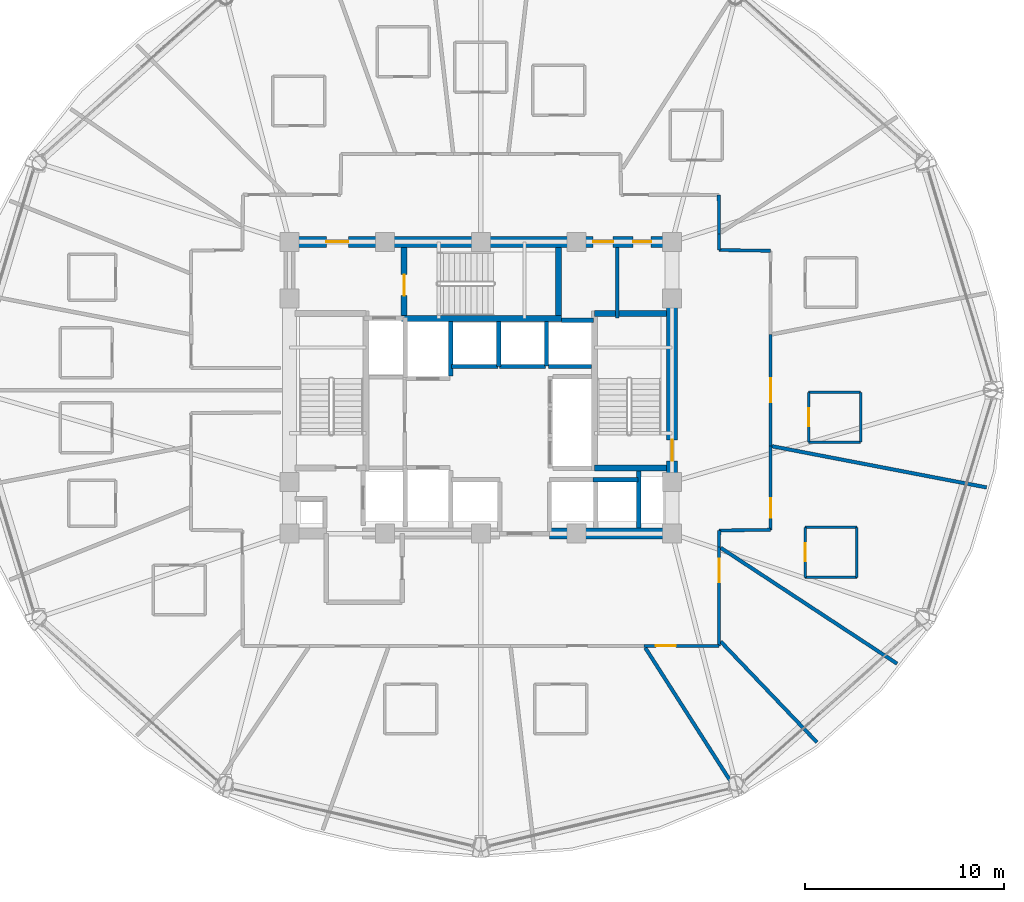
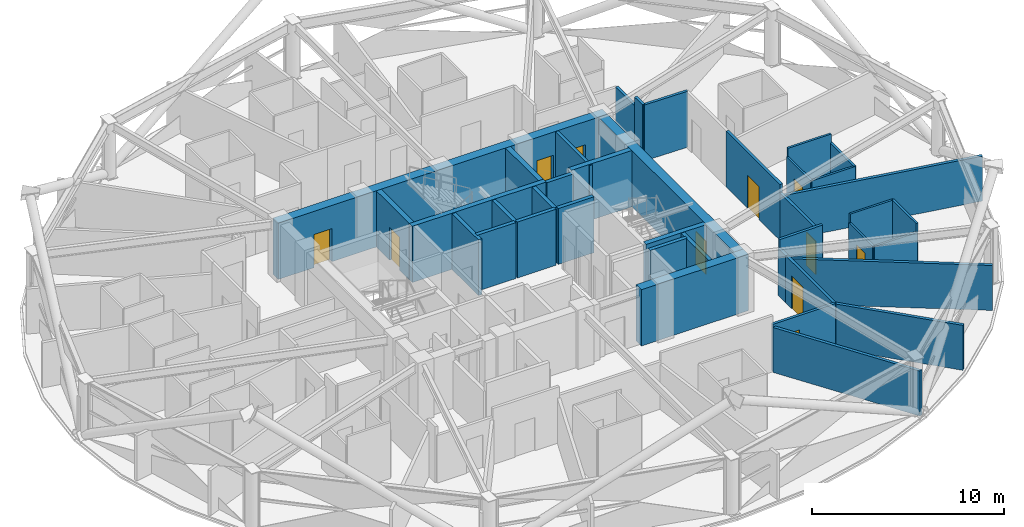
# One storey, part 26 of 32: 39 walls, 11 doors, 11 openings.
"""IFC4 building model written with IfcOpenShell, lengths in metres."""

from ifc_helpers import new_model, si_unit, direction, frame, frame_2d, origin, place, context, subcontext, project, spatial, rectangle, extrude, material, layer, layer_set, type_object, element, fill, save


model = new_model("IFC4")

# Units and contexts
model_context = context("Model", 3, precision=1e-05, world=origin(), true_north=direction((0.0, 1.0)))
body_context = subcontext(model_context, "Body", "Model", "MODEL_VIEW")
ifc_project = project(units=[si_unit("LENGTHUNIT", "METRE"), si_unit("AREAUNIT", "SQUARE_METRE"), si_unit("VOLUMEUNIT", "CUBIC_METRE"), si_unit("PLANEANGLEUNIT", "RADIAN"), si_unit("MASSUNIT", "GRAM", prefix="KILO")], contexts=[model_context])

# Site, building, storey
site_placement = place(None, origin())
site = spatial("IfcSite", under=ifc_project, at=site_placement, CompositionType="ELEMENT")
building_placement = place(site_placement, origin())
building = spatial("IfcBuilding", under=site, at=building_placement, Name="Vantalir Tower", CompositionType="ELEMENT")
storey_placement = place(building_placement, frame((0.0, 0.0, 104.699951171875)))
storey = spatial("IfcBuildingStorey", under=building, at=storey_placement, Name="L25", CompositionType="ELEMENT", Elevation=104.699951171875)

# Walls
ifc_material_1 = material(Name="Moisture-resistant en-suite partition", Category="gypsum")
ifc_layer_1 = layer(ifc_material_1, 0.125)
ifc_layer_set_1 = layer_set([ifc_layer_1], Name="Moisture-resistant en-suite partition")
wall_type_1 = type_object("IfcWallType", Name="WL-BATH-125", PredefinedType="PARTITIONING", material=ifc_layer_set_1)
wall_1_placement = place(storey_placement, frame((47.781982421875, 15.613037109375, 0.0), z_axis=(0.0, 0.0, 1.0), x_axis=(1.0, 0.0, 0.0)))
element("IfcWall", 1, at=wall_1_placement, inside=storey, type_object=wall_type_1, Name="L25 En-suite 20 South Wall", PredefinedType="PARTITIONING", context=body_context, shape_type="SweptSolid", body=[
    extrude(rectangle(XDim=2.60009765625, YDim=0.125, at=frame_2d((1.300048828125, 0.0))), origin(), (0.0, 0.0, 1.0), 3.006103515625),
])
wall_2_placement = place(storey_placement, frame((47.781982421875, 18.113037109375, 0.0), z_axis=(0.0, 0.0, 1.0), x_axis=(1.0, 0.0, 0.0)))
element("IfcWall", 2, at=wall_2_placement, inside=storey, type_object=wall_type_1, Name="L25 En-suite 20 North Wall", PredefinedType="PARTITIONING", context=body_context, shape_type="SweptSolid", body=[
    extrude(rectangle(XDim=2.60009765625, YDim=0.125, at=frame_2d((1.300048828125, 0.0))), origin(), (0.0, 0.0, 1.0), 3.550048828125),
])

# Wall, opening, door
wall_3_placement = place(storey_placement, frame((47.781982421875, 15.613037109375, 0.0), z_axis=(0.0, 0.0, 1.0), x_axis=(0.0, 1.0, 0.0)))
wall_3 = element("IfcWall", 3, at=wall_3_placement, inside=storey, type_object=wall_type_1, Name="L25 En-suite 20 West Wall", PredefinedType="PARTITIONING", context=body_context, shape_type="SweptSolid", body=[
    extrude(rectangle(XDim=2.5, YDim=0.125, at=frame_2d((1.25, 0.0))), origin(), (0.0, 0.0, 1.0), 3.006103515625),
])
opening_1_placement = place(wall_3_placement, frame((0.800048828125, 0.0, 0.0)))
opening_1 = element("IfcOpeningElement", 4, at=opening_1_placement, cuts=wall_3, Name="Opening D-WC", PredefinedType="OPENING", context=body_context, shape_type="SweptSolid", body=[
    extrude(rectangle(XDim=0.89990234375, YDim=2.10009765625, at=frame_2d((0.449951171875, 1.050048828125))), frame((0.0, 0.072509765625, 0.0), z_axis=(0.0, -1.0, 0.0), x_axis=(1.0, 0.0, 0.0)), (0.0, 0.0, 1.0), 0.14501953125),
])
ifc_material_2 = material(Name="Moisture-resistant hardwood door", Category="wood")
door_type_1 = type_object("IfcDoorType", Name="DR-ENSUITE-900", OperationType="NOTDEFINED", PredefinedType="DOOR", material=ifc_material_2)
door_1_placement = place(opening_1_placement, frame((0.89990234375, 0.0, 0.0), z_axis=(0.0, 0.0, 1.0), x_axis=(-1.0, 0.0, 0.0)))
door_1 = element("IfcDoor", 5, at=door_1_placement, inside=storey, type_object=door_type_1, Name="L25 En-suite 20 Door", OperationType="SINGLE_SWING_RIGHT", OverallHeight=2.10009765625, OverallWidth=0.89990234375, PredefinedType="DOOR", context=body_context, shape_type="SweptSolid", body=[
    extrude(rectangle(XDim=0.89990234375, YDim=2.10009765625, at=frame_2d((0.449951171875, 1.050048828125))), frame((0.0, 0.02490234375, 0.0), z_axis=(0.0, -1.0, 0.0), x_axis=(1.0, 0.0, 0.0)), (0.0, 0.0, 1.0), 0.050048828125),
])
fill(opening_1, door_1)

# Walls
wall_4_placement = place(storey_placement, frame((50.382080078125, 15.613037109375, 0.0), z_axis=(0.0, 0.0, 1.0), x_axis=(0.0, 1.0, 0.0)))
element("IfcWall", 6, at=wall_4_placement, inside=storey, type_object=wall_type_1, Name="L25 En-suite 20 East Wall", PredefinedType="PARTITIONING", context=body_context, shape_type="SweptSolid", body=[
    extrude(rectangle(XDim=2.5, YDim=0.125, at=frame_2d((1.25, 0.0))), origin(), (0.0, 0.0, 1.0), 3.550048828125),
])
wall_5_placement = place(storey_placement, frame((47.9599609375, 22.39599609375, 0.0), z_axis=(0.0, 0.0, 1.0), x_axis=(1.0, 0.0, 0.0)))
element("IfcWall", 7, at=wall_5_placement, inside=storey, type_object=wall_type_1, Name="L25 En-suite 21 South Wall", PredefinedType="PARTITIONING", context=body_context, shape_type="SweptSolid", body=[
    extrude(rectangle(XDim=2.60009765625, YDim=0.125, at=frame_2d((1.300048828125, 0.0))), origin(), (0.0, 0.0, 1.0), 3.006103515625),
])
wall_6_placement = place(storey_placement, frame((47.9599609375, 24.89599609375, 0.0), z_axis=(0.0, 0.0, 1.0), x_axis=(1.0, 0.0, 0.0)))
element("IfcWall", 8, at=wall_6_placement, inside=storey, type_object=wall_type_1, Name="L25 En-suite 21 North Wall", PredefinedType="PARTITIONING", context=body_context, shape_type="SweptSolid", body=[
    extrude(rectangle(XDim=2.60009765625, YDim=0.125, at=frame_2d((1.300048828125, 0.0))), origin(), (0.0, 0.0, 1.0), 3.550048828125),
])

# Wall, opening, door
wall_7_placement = place(storey_placement, frame((47.9599609375, 22.39599609375, 0.0), z_axis=(0.0, 0.0, 1.0), x_axis=(0.0, 1.0, 0.0)))
wall_7 = element("IfcWall", 9, at=wall_7_placement, inside=storey, type_object=wall_type_1, Name="L25 En-suite 21 West Wall", PredefinedType="PARTITIONING", context=body_context, shape_type="SweptSolid", body=[
    extrude(rectangle(XDim=2.5, YDim=0.125, at=frame_2d((1.25, 0.0))), origin(), (0.0, 0.0, 1.0), 3.006103515625),
])
opening_2_placement = place(wall_7_placement, frame((0.800048828125, 0.0, 0.0)))
opening_2 = element("IfcOpeningElement", 10, at=opening_2_placement, cuts=wall_7, Name="Opening D-WC", PredefinedType="OPENING", context=body_context, shape_type="SweptSolid", body=[
    extrude(rectangle(XDim=0.89990234375, YDim=2.10009765625, at=frame_2d((0.449951171875, 1.050048828125))), frame((0.0, 0.072509765625, 0.0), z_axis=(0.0, -1.0, 0.0), x_axis=(1.0, 0.0, 0.0)), (0.0, 0.0, 1.0), 0.14501953125),
])
door_2_placement = place(opening_2_placement, frame((0.89990234375, 0.0, 0.0), z_axis=(0.0, 0.0, 1.0), x_axis=(-1.0, 0.0, 0.0)))
door_2 = element("IfcDoor", 11, at=door_2_placement, inside=storey, type_object=door_type_1, Name="L25 En-suite 21 Door", OperationType="SINGLE_SWING_LEFT", OverallHeight=2.10009765625, OverallWidth=0.89990234375, PredefinedType="DOOR", context=body_context, shape_type="SweptSolid", body=[
    extrude(rectangle(XDim=0.89990234375, YDim=2.10009765625, at=frame_2d((0.449951171875, 1.050048828125))), frame((0.0, 0.02490234375, 0.0), z_axis=(0.0, -1.0, 0.0), x_axis=(1.0, 0.0, 0.0)), (0.0, 0.0, 1.0), 0.050048828125),
])
fill(opening_2, door_2)

# Walls
wall_8_placement = place(storey_placement, frame((50.56005859375, 22.39599609375, 0.0), z_axis=(0.0, 0.0, 1.0), x_axis=(0.0, 1.0, 0.0)))
element("IfcWall", 12, at=wall_8_placement, inside=storey, type_object=wall_type_1, Name="L25 En-suite 21 East Wall", PredefinedType="PARTITIONING", context=body_context, shape_type="SweptSolid", body=[
    extrude(rectangle(XDim=2.5, YDim=0.125, at=frame_2d((1.25, 0.0))), origin(), (0.0, 0.0, 1.0), 3.006103515625),
])
ifc_material_3 = material(Name="Concrete C60/75", Category="concrete")
ifc_layer_2 = layer(ifc_material_3, 0.550048828125)
ifc_layer_set_2 = layer_set([ifc_layer_2], Name="Concrete C60/75")
wall_type_2 = type_object("IfcWallType", Name="WL-CORE-550", PredefinedType="SHEAR", material=ifc_layer_set_2)
wall_9_placement = place(storey_placement, frame((34.949951171875, 17.800048828125, 0.0), z_axis=(0.0, 0.0, 1.0), x_axis=(1.0, 0.0, 0.0)))
element("IfcWall", 13, at=wall_9_placement, inside=storey, type_object=wall_type_2, Name="L25 Core Shear Wall South-East", PredefinedType="SHEAR", context=body_context, shape_type="SweptSolid", body=[
    extrude(rectangle(XDim=6.425048828125, YDim=0.550048828125, at=frame_2d((3.21240234375, 0.0))), origin(), (0.0, 0.0, 1.0), 3.570068359375),
])

# Wall, openings, doors
wall_10_placement = place(storey_placement, frame((21.625, 32.449951171875, 0.0), z_axis=(0.0, 0.0, 1.0), x_axis=(1.0, 0.0, 0.0)))
wall_10 = element("IfcWall", 14, at=wall_10_placement, inside=storey, type_object=wall_type_2, Name="L25 Core Shear Wall North", PredefinedType="SHEAR", context=body_context, shape_type="SweptSolid", body=[
    extrude(rectangle(XDim=19.75, YDim=0.550048828125, at=frame_2d((9.875, 0.0))), origin(), (0.0, 0.0, 1.0), 3.570068359375),
])
opening_3_placement = place(wall_10_placement, frame((2.125, 0.0, 0.0)))
opening_3 = element("IfcOpeningElement", 15, at=opening_3_placement, cuts=wall_10, Name="Opening D-FFL", PredefinedType="OPENING", context=body_context, shape_type="SweptSolid", body=[
    extrude(rectangle(XDim=1.10009765625, YDim=2.10009765625, at=frame_2d((0.550048828125, 1.050048828125))), frame((0.0, 0.284912109375, 0.0), z_axis=(0.0, -1.0, 0.0), x_axis=(1.0, 0.0, 0.0)), (0.0, 0.0, 1.0), 0.570068359375),
])
opening_4_placement = place(wall_10_placement, frame((15.514892578125, 0.0, 0.0)))
opening_4 = element("IfcOpeningElement", 16, at=opening_4_placement, cuts=wall_10, Name="Opening D-GUEST", PredefinedType="OPENING", context=body_context, shape_type="SweptSolid", body=[
    extrude(rectangle(XDim=1.0, YDim=2.10009765625, at=frame_2d((0.5, 1.050048828125))), frame((0.0, 0.284912109375, 0.0), z_axis=(0.0, -1.0, 0.0), x_axis=(1.0, 0.0, 0.0)), (0.0, 0.0, 1.0), 0.570068359375),
])
opening_5_placement = place(wall_10_placement, frame((17.52490234375, 0.0, 0.0)))
opening_5 = element("IfcOpeningElement", 17, at=opening_5_placement, cuts=wall_10, Name="Opening D-CR", PredefinedType="OPENING", context=body_context, shape_type="SweptSolid", body=[
    extrude(rectangle(XDim=0.89990234375, YDim=2.10009765625, at=frame_2d((0.449951171875, 1.050048828125))), frame((0.0, 0.284912109375, 0.0), z_axis=(0.0, -1.0, 0.0), x_axis=(1.0, 0.0, 0.0)), (0.0, 0.0, 1.0), 0.570068359375),
])
ifc_material_4 = material(Name="Fire-rated steel core service door", Category="steel")
door_type_2 = type_object("IfcDoorType", Name="DR-CORE-SERV-900", OperationType="NOTDEFINED", PredefinedType="DOOR", material=ifc_material_4)
door_3_placement = place(opening_5_placement, frame((0.89990234375, 0.0, 0.0), z_axis=(0.0, 0.0, 1.0), x_axis=(-1.0, 0.0, 0.0)))
door_3 = element("IfcDoor", 18, at=door_3_placement, inside=storey, type_object=door_type_2, Name="L25 Housekeeping and Linen Room Door", OperationType="SINGLE_SWING_RIGHT", OverallHeight=2.10009765625, OverallWidth=0.89990234375, PredefinedType="DOOR", context=body_context, shape_type="SweptSolid", body=[
    extrude(rectangle(XDim=0.89990234375, YDim=2.10009765625, at=frame_2d((0.449951171875, 1.050048828125))), frame((0.0, 0.02490234375, 0.0), z_axis=(0.0, -1.0, 0.0), x_axis=(1.0, 0.0, 0.0)), (0.0, 0.0, 1.0), 0.050048828125),
])
fill(opening_5, door_3)
ifc_material_5 = material(Name="Fire-rated acoustic steel door", Category="steel")
door_type_3 = type_object("IfcDoorType", Name="DR-FIRE-LOBBY-1100", OperationType="NOTDEFINED", PredefinedType="DOOR", material=ifc_material_5)
door_4_placement = place(opening_3_placement, frame((1.10009765625, 0.0, 0.0), z_axis=(0.0, 0.0, 1.0), x_axis=(-1.0, 0.0, 0.0)))
door_4 = element("IfcDoor", 19, at=door_4_placement, inside=storey, type_object=door_type_3, Name="L25 Firefighting Lobby East Access Door", OperationType="SINGLE_SWING_LEFT", OverallHeight=2.10009765625, OverallWidth=1.10009765625, PredefinedType="DOOR", context=body_context, shape_type="SweptSolid", body=[
    extrude(rectangle(XDim=1.10009765625, YDim=2.10009765625, at=frame_2d((0.550048828125, 1.050048828125))), frame((0.0, 0.02490234375, 0.0), z_axis=(0.0, -1.0, 0.0), x_axis=(1.0, 0.0, 0.0)), (0.0, 0.0, 1.0), 0.050048828125),
])
fill(opening_3, door_4)
ifc_material_6 = material(Name="Solid-core teak veneer acoustic fire door", Category="wood")
door_type_4 = type_object("IfcDoorType", Name="DR-GUEST-ENTRY-1000", OperationType="NOTDEFINED", PredefinedType="DOOR", material=ifc_material_6)
door_5_placement = place(opening_4_placement, frame((1.0, 0.0, 0.0), z_axis=(0.0, 0.0, 1.0), x_axis=(-1.0, 0.0, 0.0)))
door_5 = element("IfcDoor", 20, at=door_5_placement, inside=storey, type_object=door_type_4, Name="L25 High-Rise Lift Lobby Door", OperationType="SINGLE_SWING_LEFT", OverallHeight=2.10009765625, OverallWidth=1.0, PredefinedType="DOOR", context=body_context, shape_type="SweptSolid", body=[
    extrude(rectangle(XDim=1.0, YDim=2.10009765625, at=frame_2d((0.5, 1.050048828125))), frame((0.0, 0.02490234375, 0.0), z_axis=(0.0, -1.0, 0.0), x_axis=(1.0, 0.0, 0.0)), (0.0, 0.0, 1.0), 0.050048828125),
])
fill(opening_4, door_5)

# Wall, opening, door
wall_11_placement = place(storey_placement, frame((41.10009765625, 18.074951171875, 0.0), z_axis=(0.0, 0.0, 1.0), x_axis=(0.0, 1.0, 0.0)))
wall_11 = element("IfcWall", 21, at=wall_11_placement, inside=storey, type_object=wall_type_2, Name="L25 Core Shear Wall East", PredefinedType="SHEAR", context=body_context, shape_type="SweptSolid", body=[
    extrude(rectangle(XDim=14.10009765625, YDim=0.550048828125, at=frame_2d((7.050048828125, 0.0))), origin(), (0.0, 0.0, 1.0), 3.570068359375),
])
opening_6_placement = place(wall_11_placement, frame((3.385009765625, 0.0, 0.0)))
opening_6 = element("IfcOpeningElement", 22, at=opening_6_placement, cuts=wall_11, Name="Opening D-ST", PredefinedType="OPENING", context=body_context, shape_type="SweptSolid", body=[
    extrude(rectangle(XDim=1.050048828125, YDim=2.10009765625, at=frame_2d((0.52490234375, 1.050048828125))), frame((0.0, 0.284912109375, 0.0), z_axis=(0.0, -1.0, 0.0), x_axis=(1.0, 0.0, 0.0)), (0.0, 0.0, 1.0), 0.570068359375),
])
ifc_material_7 = material(Name="Fire-rated steel door leaf", Category="steel")
door_type_5 = type_object("IfcDoorType", Name="DR-FIRE-STAIR-1050", OperationType="NOTDEFINED", PredefinedType="DOOR", material=ifc_material_7)
door_6_placement = place(opening_6_placement, origin())
door_6 = element("IfcDoor", 23, at=door_6_placement, inside=storey, type_object=door_type_5, Name="L25 Exit Stair ST2 Fire Door", OperationType="SINGLE_SWING_LEFT", OverallHeight=2.10009765625, OverallWidth=1.050048828125, PredefinedType="DOOR", context=body_context, shape_type="SweptSolid", body=[
    extrude(rectangle(XDim=1.050048828125, YDim=2.10009765625, at=frame_2d((0.52490234375, 1.050048828125))), frame((0.0, 0.02490234375, 0.0), z_axis=(0.0, -1.0, 0.0), x_axis=(1.0, 0.0, 0.0)), (0.0, 0.0, 1.0), 0.050048828125),
])
fill(opening_6, door_6)

# Walls
ifc_material_8 = material(Name="Fire-rated hotel corridor acoustic partition", Category="gypsum")
ifc_layer_3 = layer(ifc_material_8, 0.159912109375)
ifc_layer_set_3 = layer_set([ifc_layer_3], Name="Fire-rated hotel corridor acoustic partition")
wall_type_3 = type_object("IfcWallType", Name="WL-CORR-160", PredefinedType="PARTITIONING", material=ifc_layer_set_3)
wall_12_placement = place(storey_placement, frame((43.447021484375, 34.80810546875, 0.0), z_axis=(0.0, 0.0, 1.0), x_axis=(0.00662154399, -0.999978077337, 0.0)))
element("IfcWall", 24, at=wall_12_placement, inside=storey, type_object=wall_type_3, Name="L25 Corridor Partition 18", PredefinedType="PARTITIONING", context=body_context, shape_type="SweptSolid", body=[
    extrude(rectangle(XDim=1.9541015625, YDim=0.159912109375, at=frame_2d((0.97705078125, 0.0))), origin(), (0.0, 0.0, 1.0), 3.006103515625),
])
wall_13_placement = place(storey_placement, frame((43.4599609375, 32.85400390625, 0.0), z_axis=(0.0, 0.0, 1.0), x_axis=(0.006298615307, -0.999980163526, 0.0)))
element("IfcWall", 25, at=wall_13_placement, inside=storey, type_object=wall_type_3, Name="L25 Corridor Partition 19", PredefinedType="PARTITIONING", context=body_context, shape_type="SweptSolid", body=[
    extrude(rectangle(XDim=0.81396484375, YDim=0.159912109375, at=frame_2d((0.406982421875, 0.0))), origin(), (0.0, 0.0, 1.0), 3.550048828125),
])
wall_14_placement = place(storey_placement, frame((43.465087890625, 32.0400390625, 0.0), z_axis=(0.0, 0.0, 1.0), x_axis=(0.999879586318, -0.015518146319, 0.0)))
element("IfcWall", 26, at=wall_14_placement, inside=storey, type_object=wall_type_3, Name="L25 Corridor Partition 20", PredefinedType="PARTITIONING", context=body_context, shape_type="SweptSolid", body=[
    extrude(rectangle(XDim=2.580078125, YDim=0.159912109375, at=frame_2d((1.2900390625, 0.0))), origin(), (0.0, 0.0, 1.0), 3.550048828125),
])

# Wall, opening, door
wall_15_placement = place(storey_placement, frame((46.044921875, 27.794921875, 0.0), z_axis=(0.0, 0.0, 1.0), x_axis=(0.0, -1.0, 0.0)))
wall_15 = element("IfcWall", 27, at=wall_15_placement, inside=storey, type_object=wall_type_3, Name="L25 Corridor Partition 22", PredefinedType="PARTITIONING", context=body_context, shape_type="SweptSolid", body=[
    extrude(rectangle(XDim=5.58984375, YDim=0.159912109375, at=frame_2d((2.794921875, 0.0))), origin(), (0.0, 0.0, 1.0), 3.550048828125),
])
opening_7_placement = place(wall_15_placement, frame((2.195068359375, 0.0, 0.0)))
opening_7 = element("IfcOpeningElement", 28, at=opening_7_placement, cuts=wall_15, Name="Opening D-STE", PredefinedType="OPENING", context=body_context, shape_type="SweptSolid", body=[
    extrude(rectangle(XDim=1.199951171875, YDim=2.10009765625, at=frame_2d((0.60009765625, 1.050048828125))), frame((0.0, 0.08984375, 0.0), z_axis=(0.0, -1.0, 0.0), x_axis=(1.0, 0.0, 0.0)), (0.0, 0.0, 1.0), 0.179931640625),
])
ifc_material_9 = material(Name="Solid-core teak veneer suite entrance door", Category="wood")
door_type_6 = type_object("IfcDoorType", Name="DR-SUITE-ENTRY-1200", OperationType="NOTDEFINED", PredefinedType="DOOR", material=ifc_material_9)
door_7_placement = place(opening_7_placement, origin())
door_7 = element("IfcDoor", 29, at=door_7_placement, inside=storey, type_object=door_type_6, Name="L25 Corner Panorama Hotel Suite 21 Door", OperationType="SINGLE_SWING_LEFT", OverallHeight=2.10009765625, OverallWidth=1.199951171875, PredefinedType="DOOR", context=body_context, shape_type="SweptSolid", body=[
    extrude(rectangle(XDim=1.199951171875, YDim=2.10009765625, at=frame_2d((0.60009765625, 1.050048828125))), frame((0.0, 0.02490234375, 0.0), z_axis=(0.0, -1.0, 0.0), x_axis=(1.0, 0.0, 0.0)), (0.0, 0.0, 1.0), 0.050048828125),
])
fill(opening_7, door_7)

wall_16_placement = place(storey_placement, frame((46.044921875, 22.205078125, 0.0), z_axis=(0.0, 0.0, 1.0), x_axis=(0.0, -1.0, 0.0)))
wall_16 = element("IfcWall", 30, at=wall_16_placement, inside=storey, type_object=wall_type_3, Name="L25 Corridor Partition 23", PredefinedType="PARTITIONING", context=body_context, shape_type="SweptSolid", body=[
    extrude(rectangle(XDim=4.208984375, YDim=0.159912109375, at=frame_2d((2.1044921875, 0.0))), origin(), (0.0, 0.0, 1.0), 3.006103515625),
])
opening_8_placement = place(wall_16_placement, frame((2.615966796875, 0.0, 0.0)))
opening_8 = element("IfcOpeningElement", 31, at=opening_8_placement, cuts=wall_16, Name="Opening D-GUEST", PredefinedType="OPENING", context=body_context, shape_type="SweptSolid", body=[
    extrude(rectangle(XDim=1.0, YDim=2.10009765625, at=frame_2d((0.5, 1.050048828125))), frame((0.0, 0.08984375, 0.0), z_axis=(0.0, -1.0, 0.0), x_axis=(1.0, 0.0, 0.0)), (0.0, 0.0, 1.0), 0.179931640625),
])
door_8_placement = place(opening_8_placement, origin())
door_8 = element("IfcDoor", 32, at=door_8_placement, inside=storey, type_object=door_type_4, Name="L25 Deluxe King Hotel Room 20 Door", OperationType="SINGLE_SWING_RIGHT", OverallHeight=2.10009765625, OverallWidth=1.0, PredefinedType="DOOR", context=body_context, shape_type="SweptSolid", body=[
    extrude(rectangle(XDim=1.0, YDim=2.10009765625, at=frame_2d((0.5, 1.050048828125))), frame((0.0, 0.02490234375, 0.0), z_axis=(0.0, -1.0, 0.0), x_axis=(1.0, 0.0, 0.0)), (0.0, 0.0, 1.0), 0.050048828125),
])
fill(opening_8, door_8)

# Walls
wall_17_placement = place(storey_placement, frame((46.044921875, 17.99609375, 0.0), z_axis=(0.0, 0.0, 1.0), x_axis=(-0.999901932268, -0.014004493799, 0.0)))
element("IfcWall", 33, at=wall_17_placement, inside=storey, type_object=wall_type_3, Name="L25 Corridor Partition 24", PredefinedType="PARTITIONING", context=body_context, shape_type="SweptSolid", body=[
    extrude(rectangle(XDim=2.580078125, YDim=0.159912109375, at=frame_2d((1.2900390625, 0.0))), origin(), (0.0, 0.0, 1.0), 3.550048828125),
])
wall_18_placement = place(storey_placement, frame((43.465087890625, 17.9599609375, 0.0), z_axis=(0.0, 0.0, 1.0), x_axis=(-0.001195456408, -0.999999285442, 0.0)))
element("IfcWall", 34, at=wall_18_placement, inside=storey, type_object=wall_type_3, Name="L25 Corridor Partition 25", PredefinedType="PARTITIONING", context=body_context, shape_type="SweptSolid", body=[
    extrude(rectangle(XDim=0.81689453125, YDim=0.159912109375, at=frame_2d((0.408447265625, 0.0))), origin(), (0.0, 0.0, 1.0), 3.006103515625),
])

# Wall, opening, door
wall_19_placement = place(storey_placement, frame((43.464111328125, 17.14306640625, 0.0), z_axis=(0.0, 0.0, 1.0), x_axis=(-0.001226812307, -0.999999247465, 0.0)))
wall_19 = element("IfcWall", 35, at=wall_19_placement, inside=storey, type_object=wall_type_3, Name="L25 Corridor Partition 26", PredefinedType="PARTITIONING", context=body_context, shape_type="SweptSolid", body=[
    extrude(rectangle(XDim=4.97509765625, YDim=0.159912109375, at=frame_2d((2.487548828125, 0.0))), origin(), (0.0, 0.0, 1.0), 3.006103515625),
])
opening_9_placement = place(wall_19_placement, frame((0.592041015625, 0.0, 0.0)))
opening_9 = element("IfcOpeningElement", 36, at=opening_9_placement, cuts=wall_19, Name="Opening D-STE", PredefinedType="OPENING", context=body_context, shape_type="SweptSolid", body=[
    extrude(rectangle(XDim=1.199951171875, YDim=2.10009765625, at=frame_2d((0.60009765625, 1.050048828125))), frame((0.0, 0.08984375, 0.0), z_axis=(0.0, -1.0, 0.0), x_axis=(1.0, 0.0, 0.0)), (0.0, 0.0, 1.0), 0.179931640625),
])
door_9_placement = place(opening_9_placement, origin())
door_9 = element("IfcDoor", 37, at=door_9_placement, inside=storey, type_object=door_type_6, Name="L25 Club Reading Lounge 19 Door", OperationType="SINGLE_SWING_LEFT", OverallHeight=2.10009765625, OverallWidth=1.199951171875, PredefinedType="DOOR", context=body_context, shape_type="SweptSolid", body=[
    extrude(rectangle(XDim=1.199951171875, YDim=2.10009765625, at=frame_2d((0.60009765625, 1.050048828125))), frame((0.0, 0.02490234375, 0.0), z_axis=(0.0, -1.0, 0.0), x_axis=(1.0, 0.0, 0.0)), (0.0, 0.0, 1.0), 0.050048828125),
])
fill(opening_9, door_9)

wall_20_placement = place(storey_placement, frame((43.4580078125, 12.16796875, 0.0), z_axis=(0.0, 0.0, 1.0), x_axis=(-0.999999865088, -0.000519446719, 0.0)))
wall_20 = element("IfcWall", 38, at=wall_20_placement, inside=storey, type_object=wall_type_3, Name="L25 Corridor Partition 27", PredefinedType="PARTITIONING", context=body_context, shape_type="SweptSolid", body=[
    extrude(rectangle(XDim=3.760009765625, YDim=0.159912109375, at=frame_2d((1.8798828125, 0.0))), origin(), (0.0, 0.0, 1.0), 3.006103515625),
])
opening_10_placement = place(wall_20_placement, frame((2.1689453125, 0.0, 0.0)))
opening_10 = element("IfcOpeningElement", 39, at=opening_10_placement, cuts=wall_20, Name="Opening D-GUEST", PredefinedType="OPENING", context=body_context, shape_type="SweptSolid", body=[
    extrude(rectangle(XDim=1.0, YDim=2.10009765625, at=frame_2d((0.5, 1.050048828125))), frame((0.0, 0.08984375, 0.0), z_axis=(0.0, -1.0, 0.0), x_axis=(1.0, 0.0, 0.0)), (0.0, 0.0, 1.0), 0.179931640625),
])
door_10_placement = place(opening_10_placement, origin())
door_10 = element("IfcDoor", 40, at=door_10_placement, inside=storey, type_object=door_type_4, Name="L25 Executive Business Study 18 Door", OperationType="SINGLE_SWING_RIGHT", OverallHeight=2.10009765625, OverallWidth=1.0, PredefinedType="DOOR", context=body_context, shape_type="SweptSolid", body=[
    extrude(rectangle(XDim=1.0, YDim=2.10009765625, at=frame_2d((0.5, 1.050048828125))), frame((0.0, 0.02490234375, 0.0), z_axis=(0.0, -1.0, 0.0), x_axis=(1.0, 0.0, 0.0)), (0.0, 0.0, 1.0), 0.050048828125),
])
fill(opening_10, door_10)

# Walls
ifc_material_10 = material(Name="Concrete blockwork with fireboard lining", Category="masonry")
ifc_layer_4 = layer(ifc_material_10, 0.219970703125)
ifc_layer_set_4 = layer_set([ifc_layer_4], Name="Concrete blockwork with fireboard lining")
wall_type_4 = type_object("IfcWallType", Name="WL-FFL-220", PredefinedType="PARTITIONING", material=ifc_layer_set_4)
wall_21_placement = place(storey_placement, frame((30.0, 25.7099609375, 0.0), z_axis=(0.0, 0.0, 1.0), x_axis=(0.0, 1.0, 0.0)))
element("IfcWall", 41, at=wall_21_placement, inside=storey, type_object=wall_type_4, Name="L25 Service Lift SV2 East Shaft Wall", PredefinedType="PARTITIONING", context=body_context, shape_type="SweptSolid", body=[
    extrude(rectangle(XDim=2.72998046875, YDim=0.219970703125, at=frame_2d((1.364990234375, 0.0))), origin(), (0.0, 0.0, 1.0), 3.545166015625),
])
wall_22_placement = place(storey_placement, frame((32.39990234375, 26.199951171875, 0.0), z_axis=(0.0, 0.0, 1.0), x_axis=(0.0, 1.0, 0.0)))
element("IfcWall", 42, at=wall_22_placement, inside=storey, type_object=wall_type_4, Name="L25 High-Rise Lift PL-H1/H2 Shaft Divider", PredefinedType="PARTITIONING", context=body_context, shape_type="SweptSolid", body=[
    extrude(rectangle(XDim=2.239990234375, YDim=0.219970703125, at=frame_2d((1.1201171875, 0.0))), origin(), (0.0, 0.0, 1.0), 3.545166015625),
])
wall_23_placement = place(storey_placement, frame((34.800048828125, 26.22998046875, 0.0), z_axis=(0.0, 0.0, 1.0), x_axis=(0.0, 1.0, 0.0)))
element("IfcWall", 43, at=wall_23_placement, inside=storey, type_object=wall_type_4, Name="L25 High-Rise Lift PL-H2/H3 Shaft Divider", PredefinedType="PARTITIONING", context=body_context, shape_type="SweptSolid", body=[
    extrude(rectangle(XDim=2.2099609375, YDim=0.219970703125, at=frame_2d((1.10498046875, 0.0))), origin(), (0.0, 0.0, 1.0), 3.545166015625),
])
wall_24_placement = place(storey_placement, frame((34.909912109375, 26.18994140625, 0.0), z_axis=(0.0, 0.0, 1.0), x_axis=(1.0, 0.0, 0.0)))
element("IfcWall", 44, at=wall_24_placement, inside=storey, type_object=wall_type_4, Name="L25 High-Rise Lift PL-H3 Rear Shaft Wall", PredefinedType="PARTITIONING", context=body_context, shape_type="SweptSolid", body=[
    extrude(rectangle(XDim=2.14013671875, YDim=0.219970703125, at=frame_2d((1.070068359375, 0.0))), origin(), (0.0, 0.0, 1.0), 3.545166015625),
])
wall_25_placement = place(storey_placement, frame((39.419921875, 18.074951171875, 0.0), z_axis=(0.0, 0.0, 1.0), x_axis=(0.0, 1.0, 0.0)))
element("IfcWall", 45, at=wall_25_placement, inside=storey, type_object=wall_type_4, Name="L25 East MEP Riser Wall W", PredefinedType="PARTITIONING", context=body_context, shape_type="SweptSolid", body=[
    extrude(rectangle(XDim=2.875, YDim=0.219970703125, at=frame_2d((1.4375, 0.0))), origin(), (0.0, 0.0, 1.0), 3.550048828125),
])
wall_26_placement = place(storey_placement, frame((37.139892578125, 20.510009765625, 0.0), z_axis=(0.0, 0.0, 1.0), x_axis=(1.0, 0.0, 0.0)))
element("IfcWall", 46, at=wall_26_placement, inside=storey, type_object=wall_type_4, Name="L25 Lift PL-X2 Shaft Rear Wall", PredefinedType="PARTITIONING", context=body_context, shape_type="SweptSolid", body=[
    extrude(rectangle(XDim=2.239990234375, YDim=0.219970703125, at=frame_2d((1.1201171875, 0.0))), origin(), (0.0, 0.0, 1.0), 3.550048828125),
])
for number, where, z_axis, x_axis, name in (
    (47, (30.0400390625, 26.18994140625, 0.0), (0.0, 0.0, 1.0), (1.0, 0.0, 0.0), "L25 Lift PL-H1 Shaft Front Wall"),
    (48, (32.43994140625, 26.18994140625, 0.0), (0.0, 0.0, 1.0), (1.0, 0.0, 0.0), "L25 Lift PL-H2 Shaft Front Wall"),
):
    element("IfcWall", number, at=place(storey_placement, frame(where, z_axis=z_axis, x_axis=x_axis)), inside=storey, type_object=wall_type_4, Name=name, PredefinedType="PARTITIONING", context=body_context, shape_type="SweptSolid", body=[
        extrude(rectangle(XDim=2.320068359375, YDim=0.219970703125, at=frame_2d((1.16015625, 0.0))), origin(), (0.0, 0.0, 1.0), 3.550048828125),
    ])
wall_27_placement = place(storey_placement, frame((35.56005859375, 28.510009765625, 0.0), z_axis=(0.0, 0.0, 1.0), x_axis=(1.0, 0.0, 0.0)))
element("IfcWall", 49, at=wall_27_placement, inside=storey, type_object=wall_type_4, Name="L25 Lift PL-H3 Shaft Front Wall", PredefinedType="PARTITIONING", context=body_context, shape_type="SweptSolid", body=[
    extrude(rectangle(XDim=1.599853515625, YDim=0.219970703125, at=frame_2d((0.7998046875, 0.0))), origin(), (0.0, 0.0, 1.0), 3.550048828125),
])
ifc_material_11 = material(Name="Twin-stud acoustic fire-rated gypsum partition", Category="gypsum")
ifc_layer_5 = layer(ifc_material_11, 0.179931640625)
ifc_layer_set_5 = layer_set([ifc_layer_5], Name="Twin-stud acoustic fire-rated gypsum partition")
wall_type_5 = type_object("IfcWallType", Name="WL-GUEST-180", PredefinedType="PARTITIONING", material=ifc_layer_set_5)
wall_28_placement = place(storey_placement, frame((38.340087890625, 28.6201171875, 0.0), z_axis=(0.0, 0.0, 1.0), x_axis=(0.0, 1.0, 0.0)))
element("IfcWall", 50, at=wall_28_placement, inside=storey, type_object=wall_type_5, Name="L25 High-Rise Lift Lobby East Wall", PredefinedType="PARTITIONING", context=body_context, shape_type="SweptSolid", body=[
    extrude(rectangle(XDim=3.554931640625, YDim=0.179931640625, at=frame_2d((1.77734375, 0.0))), origin(), (0.0, 0.0, 1.0), 3.550048828125),
])
wall_29_placement = place(storey_placement, frame((39.756103515625, 12.074951171875, 0.0), z_axis=(0.0, 0.0, 1.0), x_axis=(0.53822585875, -0.842800643672, 0.0)))
element("IfcWall", 51, at=wall_29_placement, inside=storey, type_object=wall_type_5, Name="L25 Radial Suite Partition 18", PredefinedType="PARTITIONING", context=body_context, shape_type="SweptSolid", body=[
    extrude(rectangle(XDim=8.605712890625, YDim=0.179931640625, at=frame_2d((4.302734375, 0.0))), origin(), (0.0, 0.0, 1.0), 2.85107421875),
])
wall_30_placement = place(storey_placement, frame((43.5400390625, 12.39111328125, 0.0), z_axis=(0.0, 0.0, 1.0), x_axis=(0.690625764662, -0.723212315427, 0.0)))
element("IfcWall", 52, at=wall_30_placement, inside=storey, type_object=wall_type_5, Name="L25 Radial Suite Partition 19", PredefinedType="PARTITIONING", context=body_context, shape_type="SweptSolid", body=[
    extrude(rectangle(XDim=7.005126953125, YDim=0.179931640625, at=frame_2d((3.50244140625, 0.0))), origin(), (0.0, 0.0, 1.0), 2.85107421875),
])
wall_31_placement = place(storey_placement, frame((43.5400390625, 17.093017578125, 0.0), z_axis=(0.0, 0.0, 1.0), x_axis=(0.835841105824, -0.548971443533, 0.0)))
element("IfcWall", 53, at=wall_31_placement, inside=storey, type_object=wall_type_5, Name="L25 Radial Suite Partition 20", PredefinedType="PARTITIONING", context=body_context, shape_type="SweptSolid", body=[
    extrude(rectangle(XDim=10.596435546875, YDim=0.179931640625, at=frame_2d((5.29833984375, 0.0))), origin(), (0.0, 0.0, 1.0), 2.85107421875),
])
wall_32_placement = place(storey_placement, frame((46.1201171875, 22.19091796875, 0.0), z_axis=(0.0, 0.0, 1.0), x_axis=(0.982041525157, -0.188664895694, 0.0)))
element("IfcWall", 54, at=wall_32_placement, inside=storey, type_object=wall_type_5, Name="L25 Radial Suite Partition 21", PredefinedType="PARTITIONING", context=body_context, shape_type="SweptSolid", body=[
    extrude(rectangle(XDim=10.9658203125, YDim=0.179931640625, at=frame_2d((5.48291015625, 0.0))), origin(), (0.0, 0.0, 1.0), 2.85107421875),
])
ifc_material_12 = material(Name="Concrete C50/60", Category="concrete")
ifc_layer_6 = layer(ifc_material_12, 0.300048828125)
ifc_layer_set_6 = layer_set([ifc_layer_6], Name="Concrete C50/60")
wall_type_6 = type_object("IfcWallType", Name="WL-STAIR-300", PredefinedType="SHEAR", material=ifc_layer_set_6)
for number, where, z_axis, x_axis, name in (
    (55, (37.2099609375, 21.10009765625, 0.0), (0.0, 0.0, 1.0), (1.0, 0.0, 0.0), "L25 Stair ST2 South Wall"),
    (56, (37.2099609375, 28.85009765625, 0.0), (0.0, 0.0, 1.0), (1.0, 0.0, 0.0), "L25 Stair ST2 North Wall"),
):
    element("IfcWall", number, at=place(storey_placement, frame(where, z_axis=z_axis, x_axis=x_axis)), inside=storey, type_object=wall_type_6, Name=name, PredefinedType="SHEAR", context=body_context, shape_type="SweptSolid", body=[
        extrude(rectangle(XDim=3.614990234375, YDim=0.300048828125, at=frame_2d((1.8076171875, 0.0))), origin(), (0.0, 0.0, 1.0), 3.570068359375),
    ])
wall_33_placement = place(storey_placement, frame((27.510009765625, 28.60009765625, 0.0), z_axis=(0.0, 0.0, 1.0), x_axis=(1.0, 0.0, 0.0)))
element("IfcWall", 57, at=wall_33_placement, inside=storey, type_object=wall_type_6, Name="L25 Stair ST3 South Wall", PredefinedType="SHEAR", context=body_context, shape_type="SweptSolid", body=[
    extrude(rectangle(XDim=8.030029296875, YDim=0.300048828125, at=frame_2d((4.01513671875, 0.0))), origin(), (0.0, 0.0, 1.0), 3.570068359375),
])

# Wall, opening, door
wall_34_placement = place(storey_placement, frame((27.64990234375, 28.75, 0.0), z_axis=(0.0, 0.0, 1.0), x_axis=(0.0, 1.0, 0.0)))
wall_34 = element("IfcWall", 58, at=wall_34_placement, inside=storey, type_object=wall_type_6, Name="L25 Stair ST3 West Wall", PredefinedType="SHEAR", context=body_context, shape_type="SweptSolid", body=[
    extrude(rectangle(XDim=3.425048828125, YDim=0.300048828125, at=frame_2d((1.71240234375, 0.0))), origin(), (0.0, 0.0, 1.0), 3.570068359375),
])
opening_11_placement = place(wall_34_placement, frame((1.0, 0.0, 0.0)))
opening_11 = element("IfcOpeningElement", 59, at=opening_11_placement, cuts=wall_34, Name="Opening D-ST", PredefinedType="OPENING", context=body_context, shape_type="SweptSolid", body=[
    extrude(rectangle(XDim=1.050048828125, YDim=2.10009765625, at=frame_2d((0.52490234375, 1.050048828125))), frame((0.0, 0.159912109375, 0.0), z_axis=(0.0, -1.0, 0.0), x_axis=(1.0, 0.0, 0.0)), (0.0, 0.0, 1.0), 0.320068359375),
])
door_11_placement = place(opening_11_placement, frame((1.050048828125, 0.0, 0.0), z_axis=(0.0, 0.0, 1.0), x_axis=(-1.0, 0.0, 0.0)))
door_11 = element("IfcDoor", 60, at=door_11_placement, inside=storey, type_object=door_type_5, Name="L25 Exit Stair ST3 Fire Door", OperationType="SINGLE_SWING_RIGHT", OverallHeight=2.10009765625, OverallWidth=1.050048828125, PredefinedType="DOOR", context=body_context, shape_type="SweptSolid", body=[
    extrude(rectangle(XDim=1.050048828125, YDim=2.10009765625, at=frame_2d((0.52490234375, 1.050048828125))), frame((0.0, 0.02490234375, 0.0), z_axis=(0.0, -1.0, 0.0), x_axis=(1.0, 0.0, 0.0)), (0.0, 0.0, 1.0), 0.050048828125),
])
fill(opening_11, door_11)

# Wall
wall_35_placement = place(storey_placement, frame((35.39990234375, 28.75, 0.0), z_axis=(0.0, 0.0, 1.0), x_axis=(0.0, 1.0, 0.0)))
element("IfcWall", 61, at=wall_35_placement, inside=storey, type_object=wall_type_6, Name="L25 Stair ST3 East Wall", PredefinedType="SHEAR", context=body_context, shape_type="SweptSolid", body=[
    extrude(rectangle(XDim=3.425048828125, YDim=0.300048828125, at=frame_2d((1.71240234375, 0.0))), origin(), (0.0, 0.0, 1.0), 3.570068359375),
])

save(model, "model.ifc")
